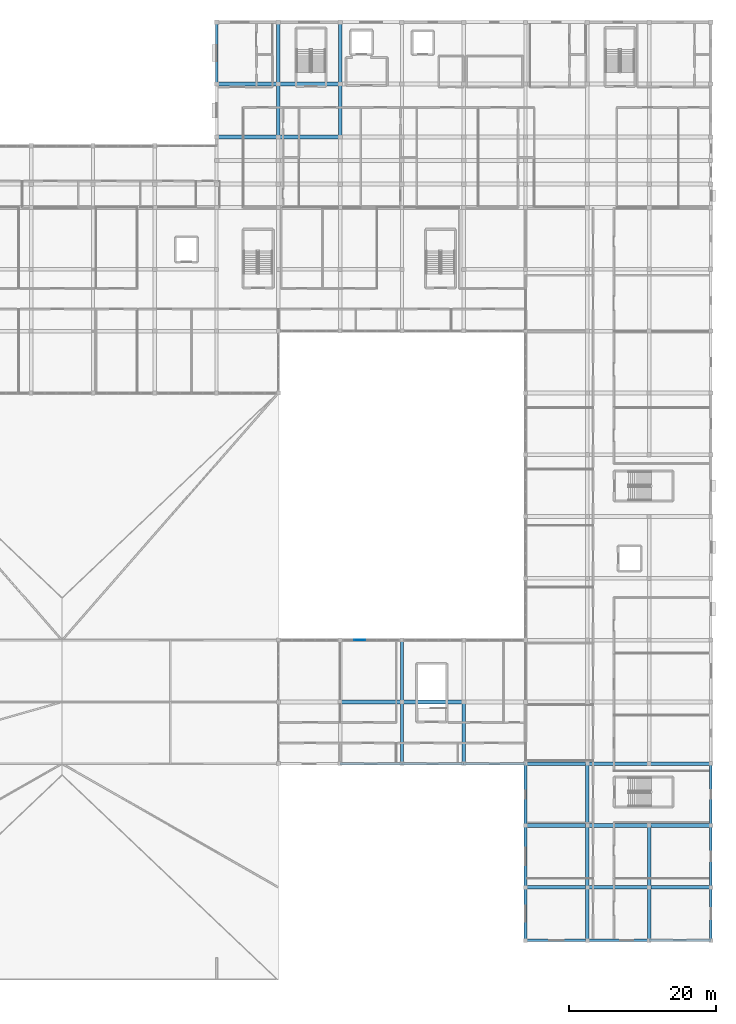
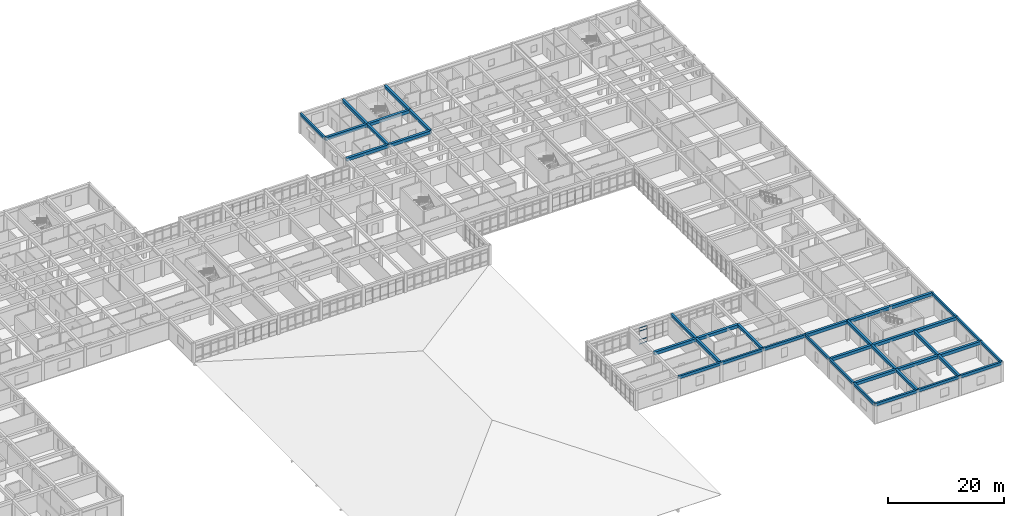
# One storey, part 24 of 77: 40 beams, 4 members, 1 element without a shape of its own.
"""IFC4 building model written with IfcOpenShell, lengths in metres."""

from ifc_helpers import new_model, si_unit, direction, frame, origin, origin_2d, place, context, subcontext, project, spatial, rectangle, extrude, material, material_profile, profile_set, type_object, element, aggregate, save


model = new_model("IFC4")

# Units and contexts
model_context = context("Model", 3, precision=1e-05, world=origin(), true_north=direction((0.0, 1.0)))
body_context = subcontext(model_context, "Body", "Model", "MODEL_VIEW")
ifc_project = project(units=[si_unit("LENGTHUNIT", "METRE"), si_unit("AREAUNIT", "SQUARE_METRE"), si_unit("VOLUMEUNIT", "CUBIC_METRE"), si_unit("PLANEANGLEUNIT", "RADIAN"), si_unit("MASSUNIT", "GRAM", prefix="KILO")], contexts=[model_context])

# Site, building, storey
site_placement = place(None, origin())
site = spatial("IfcSite", under=ifc_project, at=site_placement, CompositionType="ELEMENT")
building_placement = place(site_placement, origin())
building = spatial("IfcBuilding", under=site, at=building_placement, Name="Varncliffe General Hospital", CompositionType="ELEMENT")
storey_placement = place(building_placement, frame((0.0, 0.0, 16.199951171875)))
storey = spatial("IfcBuildingStorey", under=building, at=storey_placement, Name="L03", CompositionType="ELEMENT", Elevation=16.199951171875)

# Beams
ifc_material_1 = material(Name="Concrete C35/45 (CSA A23.1 35 MPa)", Category="concrete")
ifc_material_profile_1 = material_profile(ifc_material_1, rectangle(XDim=0.5, YDim=0.64990234375, at=origin_2d()), Name="RC 500x650")
ifc_profile_set_1 = profile_set([ifc_material_profile_1], Name="Concrete C35/45 (CSA A23.1 35 MPa)")
beam_type_1 = type_object("IfcBeamType", Name="Beam B29 (Int RC 500x650)", PredefinedType="BEAM", material=ifc_profile_set_1)
beam_1_placement = place(storey_placement, frame((151.199951171875, 7.199951171875, 3.875), z_axis=(1.0, 0.0, 0.0), x_axis=(0.0, 1.0, 0.0)))
element("IfcBeam", 1, at=beam_1_placement, inside=storey, type_object=beam_type_1, Name="L03 Primary Beam B29-4", PredefinedType="BEAM", context=body_context, shape_type="SweptSolid", body=[
    extrude(rectangle(XDim=0.5, YDim=0.64990234375, at=origin_2d()), origin(), (0.0, 0.0, 1.0), 8.400146484375),
])
for number, where, z_axis, x_axis, name in (
    (2, (159.60009765625, 7.199951171875, 3.875), (1.0, 0.0, 0.0), (0.0, 1.0, 0.0), "L03 Primary Beam B29-5"),
    (3, (168.0, 7.199951171875, 3.875), (1.0, 0.0, 0.0), (0.0, 1.0, 0.0), "L03 Primary Beam B29-6"),
):
    element("IfcBeam", number, at=place(storey_placement, frame(where, z_axis=z_axis, x_axis=x_axis)), inside=storey, type_object=beam_type_1, Name=name, PredefinedType="BEAM", context=body_context, shape_type="SweptSolid", body=[
        extrude(rectangle(XDim=0.5, YDim=0.64990234375, at=origin_2d()), origin(), (0.0, 0.0, 1.0), 8.39990234375),
    ])
beam_2_placement = place(storey_placement, frame((151.199951171875, 15.60009765625, 3.875), z_axis=(1.0, 0.0, 0.0), x_axis=(0.0, 1.0, 0.0)))
element("IfcBeam", 4, at=beam_2_placement, inside=storey, type_object=beam_type_1, Name="L03 Primary Beam B29-7", PredefinedType="BEAM", context=body_context, shape_type="SweptSolid", body=[
    extrude(rectangle(XDim=0.5, YDim=0.64990234375, at=origin_2d()), origin(), (0.0, 0.0, 1.0), 8.400146484375),
])
for number, where, z_axis, x_axis, name in (
    (5, (159.60009765625, 15.60009765625, 3.875), (1.0, 0.0, 0.0), (0.0, 1.0, 0.0), "L03 Primary Beam B29-8"),
    (6, (168.0, 15.60009765625, 3.875), (1.0, 0.0, 0.0), (0.0, 1.0, 0.0), "L03 Primary Beam B29-9"),
):
    element("IfcBeam", number, at=place(storey_placement, frame(where, z_axis=z_axis, x_axis=x_axis)), inside=storey, type_object=beam_type_1, Name=name, PredefinedType="BEAM", context=body_context, shape_type="SweptSolid", body=[
        extrude(rectangle(XDim=0.5, YDim=0.64990234375, at=origin_2d()), origin(), (0.0, 0.0, 1.0), 8.39990234375),
    ])
beam_3_placement = place(storey_placement, frame((151.199951171875, 24.0, 3.875), z_axis=(1.0, 0.0, 0.0), x_axis=(0.0, 1.0, 0.0)))
element("IfcBeam", 7, at=beam_3_placement, inside=storey, type_object=beam_type_1, Name="L03 Primary Beam B29-14", PredefinedType="BEAM", context=body_context, shape_type="SweptSolid", body=[
    extrude(rectangle(XDim=0.5, YDim=0.64990234375, at=origin_2d()), origin(), (0.0, 0.0, 1.0), 8.400146484375),
])
for number, where, z_axis, x_axis, name in (
    (8, (159.60009765625, 24.0, 3.875), (1.0, 0.0, 0.0), (0.0, 1.0, 0.0), "L03 Primary Beam B29-15"),
    (9, (168.0, 24.0, 3.875), (1.0, 0.0, 0.0), (0.0, 1.0, 0.0), "L03 Primary Beam B29-16"),
    (10, (126.0, 32.39990234375, 3.875), (1.0, 0.0, 0.0), (0.0, 1.0, 0.0), "L03 Primary Beam B29-18"),
):
    element("IfcBeam", number, at=place(storey_placement, frame(where, z_axis=z_axis, x_axis=x_axis)), inside=storey, type_object=beam_type_1, Name=name, PredefinedType="BEAM", context=body_context, shape_type="SweptSolid", body=[
        extrude(rectangle(XDim=0.5, YDim=0.64990234375, at=origin_2d()), origin(), (0.0, 0.0, 1.0), 8.39990234375),
    ])
for number, where, z_axis, x_axis, name in (
    (11, (134.39990234375, 32.39990234375, 3.875), (1.0, 0.0, 0.0), (0.0, 1.0, 0.0), "L03 Primary Beam B29-19"),
    (12, (109.199951171875, 109.199951171875, 3.875), (1.0, 0.0, 0.0), (0.0, 1.0, 0.0), "L03 Primary Beam B29-173"),
):
    element("IfcBeam", number, at=place(storey_placement, frame(where, z_axis=z_axis, x_axis=x_axis)), inside=storey, type_object=beam_type_1, Name=name, PredefinedType="BEAM", context=body_context, shape_type="SweptSolid", body=[
        extrude(rectangle(XDim=0.5, YDim=0.64990234375, at=origin_2d()), origin(), (0.0, 0.0, 1.0), 8.400146484375),
    ])
beam_4_placement = place(storey_placement, frame((117.60009765625, 109.199951171875, 3.875), z_axis=(1.0, 0.0, 0.0), x_axis=(0.0, 1.0, 0.0)))
element("IfcBeam", 13, at=beam_4_placement, inside=storey, type_object=beam_type_1, Name="L03 Primary Beam B29-174", PredefinedType="BEAM", context=body_context, shape_type="SweptSolid", body=[
    extrude(rectangle(XDim=0.5, YDim=0.64990234375, at=origin_2d()), origin(), (0.0, 0.0, 1.0), 8.39990234375),
])
beam_5_placement = place(storey_placement, frame((109.199951171875, 116.39990234375, 3.875), z_axis=(1.0, 0.0, 0.0), x_axis=(0.0, 1.0, 0.0)))
element("IfcBeam", 14, at=beam_5_placement, inside=storey, type_object=beam_type_1, Name="L03 Primary Beam B29-189", PredefinedType="BEAM", context=body_context, shape_type="SweptSolid", body=[
    extrude(rectangle(XDim=0.5, YDim=0.64990234375, at=origin_2d()), origin(), (0.0, 0.0, 1.0), 8.400146484375),
])
beam_6_placement = place(storey_placement, frame((117.60009765625, 116.39990234375, 3.875), z_axis=(1.0, 0.0, 0.0), x_axis=(0.0, 1.0, 0.0)))
element("IfcBeam", 15, at=beam_6_placement, inside=storey, type_object=beam_type_1, Name="L03 Primary Beam B29-190", PredefinedType="BEAM", context=body_context, shape_type="SweptSolid", body=[
    extrude(rectangle(XDim=0.5, YDim=0.64990234375, at=origin_2d()), origin(), (0.0, 0.0, 1.0), 8.39990234375),
])
ifc_material_profile_2 = material_profile(ifc_material_1, rectangle(XDim=0.449951171875, YDim=0.60009765625, at=origin_2d()), Name="RC 450x600")
ifc_profile_set_2 = profile_set([ifc_material_profile_2], Name="Concrete C35/45 (CSA A23.1 35 MPa)")
beam_type_2 = type_object("IfcBeamType", Name="Beam B47 (Int RC 450x600)", PredefinedType="BEAM", material=ifc_profile_set_2)
beam_7_placement = place(storey_placement, frame((117.60009765625, 109.199951171875, 3.900146484375), z_axis=(0.0, 1.0, 0.0), x_axis=(-1.0, 0.0, 0.0)))
element("IfcBeam", 16, at=beam_7_placement, inside=storey, type_object=beam_type_2, Name="L03 Primary Beam B47-334", PredefinedType="BEAM", context=body_context, shape_type="SweptSolid", body=[
    extrude(rectangle(XDim=0.449951171875, YDim=0.60009765625, at=origin_2d()), origin(), (0.0, 0.0, 1.0), 7.199951171875),
])
beam_8_placement = place(storey_placement, frame((117.60009765625, 116.39990234375, 3.900146484375), z_axis=(0.0, 1.0, 0.0), x_axis=(-1.0, 0.0, 0.0)))
element("IfcBeam", 17, at=beam_8_placement, inside=storey, type_object=beam_type_2, Name="L03 Primary Beam B47-335", PredefinedType="BEAM", context=body_context, shape_type="SweptSolid", body=[
    extrude(rectangle(XDim=0.449951171875, YDim=0.60009765625, at=origin_2d()), origin(), (0.0, 0.0, 1.0), 8.400146484375),
])
beam_9_placement = place(storey_placement, frame((126.0, 109.199951171875, 3.900146484375), z_axis=(0.0, 1.0, 0.0), x_axis=(-1.0, 0.0, 0.0)))
element("IfcBeam", 18, at=beam_9_placement, inside=storey, type_object=beam_type_2, Name="L03 Primary Beam B47-343", PredefinedType="BEAM", context=body_context, shape_type="SweptSolid", body=[
    extrude(rectangle(XDim=0.449951171875, YDim=0.60009765625, at=origin_2d()), origin(), (0.0, 0.0, 1.0), 7.199951171875),
])
beam_10_placement = place(storey_placement, frame((126.0, 116.39990234375, 3.900146484375), z_axis=(0.0, 1.0, 0.0), x_axis=(-1.0, 0.0, 0.0)))
element("IfcBeam", 19, at=beam_10_placement, inside=storey, type_object=beam_type_2, Name="L03 Primary Beam B47-344", PredefinedType="BEAM", context=body_context, shape_type="SweptSolid", body=[
    extrude(rectangle(XDim=0.449951171875, YDim=0.60009765625, at=origin_2d()), origin(), (0.0, 0.0, 1.0), 8.400146484375),
])
beam_11_placement = place(storey_placement, frame((134.39990234375, 24.0, 3.900146484375), z_axis=(0.0, 1.0, 0.0), x_axis=(-1.0, 0.0, 0.0)))
element("IfcBeam", 20, at=beam_11_placement, inside=storey, type_object=beam_type_2, Name="L03 Primary Beam B47-345", PredefinedType="BEAM", context=body_context, shape_type="SweptSolid", body=[
    extrude(rectangle(XDim=0.449951171875, YDim=0.60009765625, at=origin_2d()), origin(), (0.0, 0.0, 1.0), 8.39990234375),
])
beam_12_placement = place(storey_placement, frame((134.39990234375, 32.39990234375, 3.900146484375), z_axis=(0.0, 1.0, 0.0), x_axis=(-1.0, 0.0, 0.0)))
element("IfcBeam", 21, at=beam_12_placement, inside=storey, type_object=beam_type_2, Name="L03 Primary Beam B47-346", PredefinedType="BEAM", context=body_context, shape_type="SweptSolid", body=[
    extrude(rectangle(XDim=0.449951171875, YDim=0.60009765625, at=origin_2d()), origin(), (0.0, 0.0, 1.0), 8.400146484375),
])
beam_13_placement = place(storey_placement, frame((142.800048828125, 24.0, 3.900146484375), z_axis=(0.0, 1.0, 0.0), x_axis=(-1.0, 0.0, 0.0)))
element("IfcBeam", 22, at=beam_13_placement, inside=storey, type_object=beam_type_2, Name="L03 Primary Beam B47-354", PredefinedType="BEAM", context=body_context, shape_type="SweptSolid", body=[
    extrude(rectangle(XDim=0.449951171875, YDim=0.60009765625, at=origin_2d()), origin(), (0.0, 0.0, 1.0), 8.39990234375),
])
beam_14_placement = place(storey_placement, frame((159.60009765625, 0.0, 3.900146484375), z_axis=(0.0, 1.0, 0.0), x_axis=(-1.0, 0.0, 0.0)))
element("IfcBeam", 23, at=beam_14_placement, inside=storey, type_object=beam_type_2, Name="L03 Primary Beam B47-380", PredefinedType="BEAM", context=body_context, shape_type="SweptSolid", body=[
    extrude(rectangle(XDim=0.449951171875, YDim=0.60009765625, at=origin_2d()), origin(), (0.0, 0.0, 1.0), 7.199951171875),
])
beam_15_placement = place(storey_placement, frame((159.60009765625, 7.199951171875, 3.900146484375), z_axis=(0.0, 1.0, 0.0), x_axis=(-1.0, 0.0, 0.0)))
element("IfcBeam", 24, at=beam_15_placement, inside=storey, type_object=beam_type_2, Name="L03 Primary Beam B47-381", PredefinedType="BEAM", context=body_context, shape_type="SweptSolid", body=[
    extrude(rectangle(XDim=0.449951171875, YDim=0.60009765625, at=origin_2d()), origin(), (0.0, 0.0, 1.0), 8.400146484375),
])
beam_16_placement = place(storey_placement, frame((159.60009765625, 15.60009765625, 3.900146484375), z_axis=(0.0, 1.0, 0.0), x_axis=(-1.0, 0.0, 0.0)))
element("IfcBeam", 25, at=beam_16_placement, inside=storey, type_object=beam_type_2, Name="L03 Primary Beam B47-382", PredefinedType="BEAM", context=body_context, shape_type="SweptSolid", body=[
    extrude(rectangle(XDim=0.449951171875, YDim=0.60009765625, at=origin_2d()), origin(), (0.0, 0.0, 1.0), 8.39990234375),
])
beam_17_placement = place(storey_placement, frame((168.0, 0.0, 3.900146484375), z_axis=(0.0, 1.0, 0.0), x_axis=(-1.0, 0.0, 0.0)))
element("IfcBeam", 26, at=beam_17_placement, inside=storey, type_object=beam_type_2, Name="L03 Primary Beam B47-397", PredefinedType="BEAM", context=body_context, shape_type="SweptSolid", body=[
    extrude(rectangle(XDim=0.449951171875, YDim=0.60009765625, at=origin_2d()), origin(), (0.0, 0.0, 1.0), 7.199951171875),
])
beam_18_placement = place(storey_placement, frame((168.0, 7.199951171875, 3.900146484375), z_axis=(0.0, 1.0, 0.0), x_axis=(-1.0, 0.0, 0.0)))
element("IfcBeam", 27, at=beam_18_placement, inside=storey, type_object=beam_type_2, Name="L03 Primary Beam B47-398", PredefinedType="BEAM", context=body_context, shape_type="SweptSolid", body=[
    extrude(rectangle(XDim=0.449951171875, YDim=0.60009765625, at=origin_2d()), origin(), (0.0, 0.0, 1.0), 8.400146484375),
])

# Curtain wall, members
ifc_material_2 = material(Name="Triple low-E argon insulated vision glazing", Category="glass")
curtain_wall_type = type_object("IfcCurtainWallType", Name="Unitised Glazed Curtain Wall CW37 (7694x3440)", PredefinedType="USERDEFINED", material=ifc_material_2)
curtain_wall_placement = place(storey_placement, origin())
curtain_wall = element("IfcCurtainWall", 28, at=curtain_wall_placement, inside=storey, type_object=curtain_wall_type, Name="L03 Glazed Curtain Wall CW37-161", ObjectType="GLAZED CURTAIN WALL", PredefinedType="USERDEFINED")
ifc_material_3 = material(Name="Dark bronze thermally broken aluminium framing", Category="aluminium")
ifc_material_profile_3 = material_profile(ifc_material_3, rectangle(XDim=0.06005859375, YDim=0.10009765625, at=origin_2d()), Name="ALU 60x100")
ifc_profile_set_3 = profile_set([ifc_material_profile_3], Name="Dark bronze thermally broken aluminium framing")
member_type = type_object("IfcMemberType", Name="Curtain Wall Transom CT18 (ALU 60x100)", PredefinedType="USERDEFINED", material=ifc_profile_set_3)
member_1_placement = place(storey_placement, frame((127.92431640625, 40.800048828125, 0.030029296875), z_axis=(1.0, 0.0, 0.0), x_axis=(0.0, 1.0, 0.0)))
member_1 = element("IfcMember", 29, at=member_1_placement, type_object=member_type, Name="CW37 transom 2.1", ObjectType="TRANSOM", PredefinedType="USERDEFINED", context=body_context, shape_type="SweptSolid", body=[
    extrude(rectangle(XDim=0.06005859375, YDim=0.10009765625, at=origin_2d()), origin(), (0.0, 0.0, 1.0), 1.473876953125),
])
member_2_placement = place(storey_placement, frame((127.92431640625, 40.800048828125, 0.900146484375), z_axis=(1.0, 0.0, 0.0), x_axis=(0.0, 1.0, 0.0)))
member_2 = element("IfcMember", 30, at=member_2_placement, type_object=member_type, Name="CW37 transom 2.2", ObjectType="TRANSOM", PredefinedType="USERDEFINED", context=body_context, shape_type="SweptSolid", body=[
    extrude(rectangle(XDim=0.06005859375, YDim=0.10009765625, at=origin_2d()), origin(), (0.0, 0.0, 1.0), 1.473876953125),
])
member_3_placement = place(storey_placement, frame((127.92431640625, 40.800048828125, 2.739990234375), z_axis=(1.0, 0.0, 0.0), x_axis=(0.0, 1.0, 0.0)))
member_3 = element("IfcMember", 31, at=member_3_placement, type_object=member_type, Name="CW37 transom 2.3", ObjectType="TRANSOM", PredefinedType="USERDEFINED", context=body_context, shape_type="SweptSolid", body=[
    extrude(rectangle(XDim=0.06005859375, YDim=0.10009765625, at=origin_2d()), origin(), (0.0, 0.0, 1.0), 1.473876953125),
])
member_4_placement = place(storey_placement, frame((127.92431640625, 40.800048828125, 3.41015625), z_axis=(1.0, 0.0, 0.0), x_axis=(0.0, 1.0, 0.0)))
member_4 = element("IfcMember", 32, at=member_4_placement, type_object=member_type, Name="CW37 transom 2.4", ObjectType="TRANSOM", PredefinedType="USERDEFINED", context=body_context, shape_type="SweptSolid", body=[
    extrude(rectangle(XDim=0.06005859375, YDim=0.10009765625, at=origin_2d()), origin(), (0.0, 0.0, 1.0), 1.473876953125),
])
aggregate(curtain_wall, [member_1, member_2, member_3, member_4])

# Beams
ifc_material_profile_4 = material_profile(ifc_material_1, rectangle(XDim=0.35009765625, YDim=0.550048828125, at=origin_2d()), Name="RC 350x550")
ifc_profile_set_4 = profile_set([ifc_material_profile_4], Name="Concrete C35/45 (CSA A23.1 35 MPa)")
beam_type_3 = type_object("IfcBeamType", Name="Spandrel SP20 (Ext RC 350x550)", PredefinedType="SPANDREL", material=ifc_profile_set_4)
beam_19_placement = place(storey_placement, frame((109.199951171875, 116.39990234375, 3.925048828125), z_axis=(0.0, 1.0, 0.0), x_axis=(-1.0, 0.0, 0.0)))
element("IfcBeam", 33, at=beam_19_placement, inside=storey, type_object=beam_type_3, Name="L03 Spandrel Beam SP20-325", PredefinedType="SPANDREL", context=body_context, shape_type="SweptSolid", body=[
    extrude(rectangle(XDim=0.35009765625, YDim=0.550048828125, at=origin_2d()), origin(), (0.0, 0.0, 1.0), 8.400146484375),
])
beam_20_placement = place(storey_placement, frame((151.199951171875, 0.0, 3.925048828125), z_axis=(0.0, 1.0, 0.0), x_axis=(-1.0, 0.0, 0.0)))
element("IfcBeam", 34, at=beam_20_placement, inside=storey, type_object=beam_type_3, Name="L03 Spandrel Beam SP20-363", PredefinedType="SPANDREL", context=body_context, shape_type="SweptSolid", body=[
    extrude(rectangle(XDim=0.35009765625, YDim=0.550048828125, at=origin_2d()), origin(), (0.0, 0.0, 1.0), 7.199951171875),
])
beam_21_placement = place(storey_placement, frame((151.199951171875, 7.199951171875, 3.925048828125), z_axis=(0.0, 1.0, 0.0), x_axis=(-1.0, 0.0, 0.0)))
element("IfcBeam", 35, at=beam_21_placement, inside=storey, type_object=beam_type_3, Name="L03 Spandrel Beam SP20-364", PredefinedType="SPANDREL", context=body_context, shape_type="SweptSolid", body=[
    extrude(rectangle(XDim=0.35009765625, YDim=0.550048828125, at=origin_2d()), origin(), (0.0, 0.0, 1.0), 8.400146484375),
])
beam_22_placement = place(storey_placement, frame((151.199951171875, 15.60009765625, 3.925048828125), z_axis=(0.0, 1.0, 0.0), x_axis=(-1.0, 0.0, 0.0)))
element("IfcBeam", 36, at=beam_22_placement, inside=storey, type_object=beam_type_3, Name="L03 Spandrel Beam SP20-365", PredefinedType="SPANDREL", context=body_context, shape_type="SweptSolid", body=[
    extrude(rectangle(XDim=0.35009765625, YDim=0.550048828125, at=origin_2d()), origin(), (0.0, 0.0, 1.0), 8.39990234375),
])
beam_23_placement = place(storey_placement, frame((176.39990234375, 0.0, 3.925048828125), z_axis=(0.0, 1.0, 0.0), x_axis=(-1.0, 0.0, 0.0)))
element("IfcBeam", 37, at=beam_23_placement, inside=storey, type_object=beam_type_3, Name="L03 Spandrel Beam SP20-412", PredefinedType="SPANDREL", context=body_context, shape_type="SweptSolid", body=[
    extrude(rectangle(XDim=0.35009765625, YDim=0.550048828125, at=origin_2d()), origin(), (0.0, 0.0, 1.0), 7.199951171875),
])
beam_24_placement = place(storey_placement, frame((176.39990234375, 7.199951171875, 3.925048828125), z_axis=(0.0, 1.0, 0.0), x_axis=(-1.0, 0.0, 0.0)))
element("IfcBeam", 38, at=beam_24_placement, inside=storey, type_object=beam_type_3, Name="L03 Spandrel Beam SP20-413", PredefinedType="SPANDREL", context=body_context, shape_type="SweptSolid", body=[
    extrude(rectangle(XDim=0.35009765625, YDim=0.550048828125, at=origin_2d()), origin(), (0.0, 0.0, 1.0), 8.400146484375),
])
beam_25_placement = place(storey_placement, frame((176.39990234375, 15.60009765625, 3.925048828125), z_axis=(0.0, 1.0, 0.0), x_axis=(-1.0, 0.0, 0.0)))
element("IfcBeam", 39, at=beam_25_placement, inside=storey, type_object=beam_type_3, Name="L03 Spandrel Beam SP20-414", PredefinedType="SPANDREL", context=body_context, shape_type="SweptSolid", body=[
    extrude(rectangle(XDim=0.35009765625, YDim=0.550048828125, at=origin_2d()), origin(), (0.0, 0.0, 1.0), 8.39990234375),
])
ifc_material_profile_5 = material_profile(ifc_material_1, rectangle(XDim=0.39990234375, YDim=0.60009765625, at=origin_2d()), Name="RC 400x600")
ifc_profile_set_5 = profile_set([ifc_material_profile_5], Name="Concrete C35/45 (CSA A23.1 35 MPa)")
beam_type_4 = type_object("IfcBeamType", Name="Spandrel SP58 (Ext RC 400x600B)", PredefinedType="SPANDREL", material=ifc_profile_set_5)
beam_26_placement = place(storey_placement, frame((151.199951171875, 0.0, 3.900146484375), z_axis=(1.0, 0.0, 0.0), x_axis=(0.0, 1.0, 0.0)))
element("IfcBeam", 40, at=beam_26_placement, inside=storey, type_object=beam_type_4, Name="L03 Spandrel Beam SP58-1", PredefinedType="SPANDREL", context=body_context, shape_type="SweptSolid", body=[
    extrude(rectangle(XDim=0.39990234375, YDim=0.60009765625, at=origin_2d()), origin(), (0.0, 0.0, 1.0), 8.400146484375),
])
for number, where, z_axis, x_axis, name in (
    (41, (159.60009765625, 0.0, 3.900146484375), (1.0, 0.0, 0.0), (0.0, 1.0, 0.0), "L03 Spandrel Beam SP58-2"),
    (42, (168.0, 0.0, 3.900146484375), (1.0, 0.0, 0.0), (0.0, 1.0, 0.0), "L03 Spandrel Beam SP58-3"),
    (43, (126.0, 24.0, 3.900146484375), (1.0, 0.0, 0.0), (0.0, 1.0, 0.0), "L03 Spandrel Beam SP58-11"),
):
    element("IfcBeam", number, at=place(storey_placement, frame(where, z_axis=z_axis, x_axis=x_axis)), inside=storey, type_object=beam_type_4, Name=name, PredefinedType="SPANDREL", context=body_context, shape_type="SweptSolid", body=[
        extrude(rectangle(XDim=0.39990234375, YDim=0.60009765625, at=origin_2d()), origin(), (0.0, 0.0, 1.0), 8.39990234375),
    ])
beam_27_placement = place(storey_placement, frame((134.39990234375, 24.0, 3.900146484375), z_axis=(1.0, 0.0, 0.0), x_axis=(0.0, 1.0, 0.0)))
element("IfcBeam", 44, at=beam_27_placement, inside=storey, type_object=beam_type_4, Name="L03 Spandrel Beam SP58-12", PredefinedType="SPANDREL", context=body_context, shape_type="SweptSolid", body=[
    extrude(rectangle(XDim=0.39990234375, YDim=0.60009765625, at=origin_2d()), origin(), (0.0, 0.0, 1.0), 8.400146484375),
])
beam_28_placement = place(storey_placement, frame((142.800048828125, 24.0, 3.900146484375), z_axis=(1.0, 0.0, 0.0), x_axis=(0.0, 1.0, 0.0)))
element("IfcBeam", 45, at=beam_28_placement, inside=storey, type_object=beam_type_4, Name="L03 Spandrel Beam SP58-13", PredefinedType="SPANDREL", context=body_context, shape_type="SweptSolid", body=[
    extrude(rectangle(XDim=0.39990234375, YDim=0.60009765625, at=origin_2d()), origin(), (0.0, 0.0, 1.0), 8.39990234375),
])

save(model, "model.ifc")
